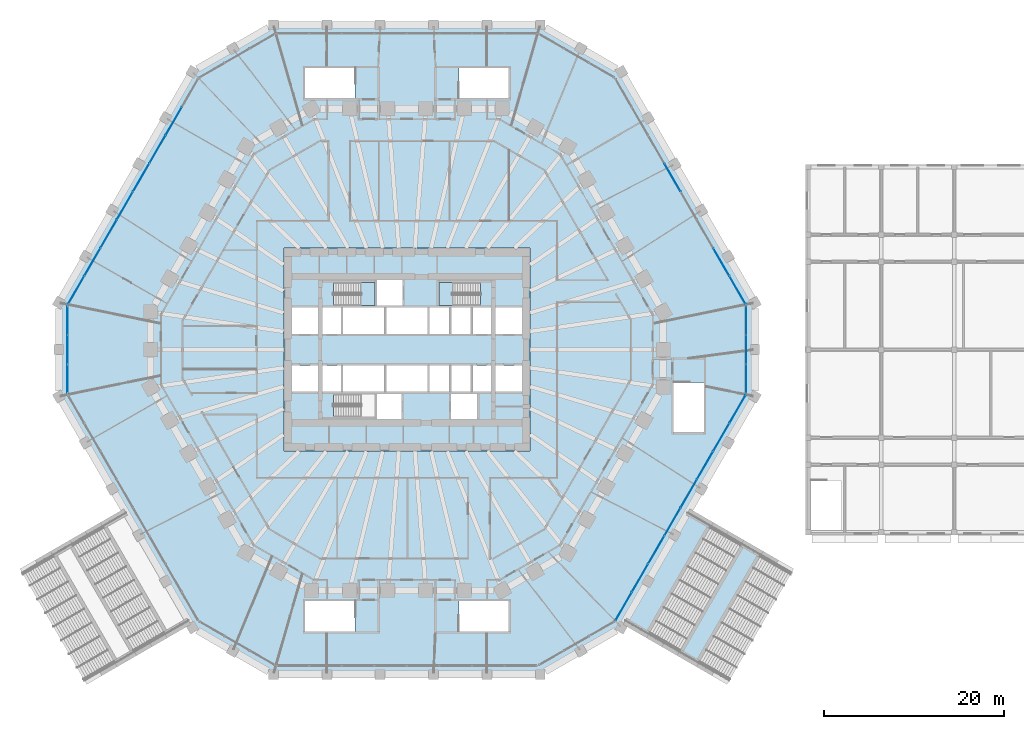
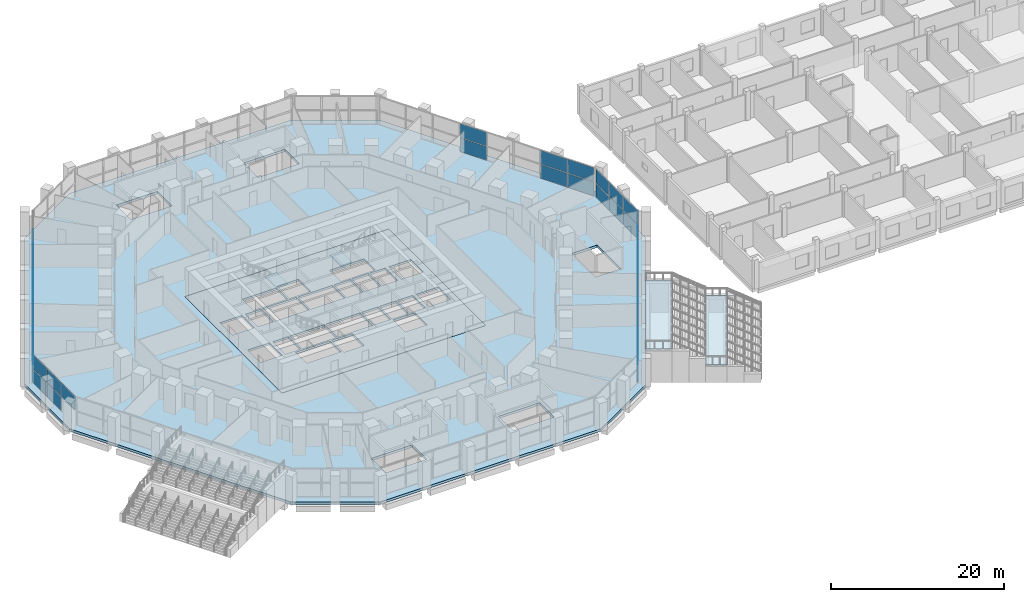
# One storey, part 17 of 38: 47 plates, 6 slabs, 8 elements without a shape of their own.
"""IFC4 building model written with IfcOpenShell, lengths in metres."""

from ifc_helpers import new_model, si_unit, direction, frame, origin, origin_2d, place, context, subcontext, project, spatial, polyline, rectangle, outline, extrude, material, layer, layer_set, type_object, element, aggregate, save


model = new_model("IFC4")

# Units and contexts
model_context = context("Model", 3, precision=1e-05, world=origin(), true_north=direction((0.0, 1.0)))
body_context = subcontext(model_context, "Body", "Model", "MODEL_VIEW")
ifc_project = project(units=[si_unit("LENGTHUNIT", "METRE"), si_unit("AREAUNIT", "SQUARE_METRE"), si_unit("VOLUMEUNIT", "CUBIC_METRE"), si_unit("PLANEANGLEUNIT", "RADIAN"), si_unit("MASSUNIT", "GRAM", prefix="KILO")], contexts=[model_context])

# Site, building, storey
site_placement = place(None, origin())
site = spatial("IfcSite", under=ifc_project, at=site_placement, CompositionType="ELEMENT")
building_placement = place(site_placement, origin())
building = spatial("IfcBuilding", under=site, at=building_placement, Name="Frailejon Research Tower", CompositionType="ELEMENT")
storey_placement = place(building_placement, frame((0.0, 0.0, 10.199951171875)))
storey = spatial("IfcBuildingStorey", under=building, at=storey_placement, Name="L02", CompositionType="ELEMENT", Elevation=10.199951171875)

# Stair, slabs
ifc_material_1 = material(Name="Concrete C35/45", Category="concrete")
stair_type_1 = type_object("IfcStairType", Name="Broad stair", PredefinedType="STRAIGHT_RUN_STAIR", material=ifc_material_1)
stair_1_placement = place(storey_placement, origin())
stair_1 = element("IfcStair", 1, at=stair_1_placement, inside=storey, type_object=stair_type_1, Name="Broad stair E3", PredefinedType="STRAIGHT_RUN_STAIR")
ifc_material_2 = material(Name="Concrete C35/45", Category="concrete")
ifc_layer_1 = layer(ifc_material_2, 0.199951171875)
ifc_layer_set_1 = layer_set([ifc_layer_1], Name="Broad stair landing")
slab_type_1 = type_object("IfcSlabType", Name="Broad stair landing", PredefinedType="LANDING", material=ifc_layer_set_1)
slab_1_placement = place(storey_placement, frame((0.0, 0.0, 4.199951171875)))
slab_1 = element("IfcSlab", 2, at=slab_1_placement, type_object=slab_type_1, Name="SS-E3 landing 1", PredefinedType="LANDING", context=body_context, shape_type="SweptSolid", body=[
    extrude(outline(polyline([(24.133544921875, -30.099365234375), (26.818359375, -31.6494140625), (33.818359375, -19.52490234375), (31.133544921875, -17.97509765625), (24.133544921875, -30.099365234375)])), origin(), (0.0, 0.0, 1.0), 0.2001953125),
])
slab_2_placement = place(storey_placement, frame((0.0, 0.0, 2.0)))
slab_2 = element("IfcSlab", 3, at=slab_2_placement, type_object=slab_type_1, Name="SS-E3 landing 2", PredefinedType="LANDING", context=body_context, shape_type="SweptSolid", body=[
    extrude(outline(polyline([(30.109130859375, -33.54931640625), (32.36083984375, -34.849365234375), (39.36083984375, -22.72509765625), (37.109130859375, -21.425048828125), (30.109130859375, -33.54931640625)])), origin(), (0.0, 0.0, 1.0), 0.199951171875),
])
aggregate(stair_1, [slab_1, slab_2])

# Slab
ifc_material_3 = material(Name="Concrete C70/85", Category="concrete")
ifc_layer_2 = layer(ifc_material_3, 0.300048828125)
ifc_layer_set_2 = layer_set([ifc_layer_2], Name="Core floor slab 300 C70/85")
slab_type_2 = type_object("IfcSlabType", Name="Core floor slab 300 C70/85", PredefinedType="FLOOR", material=ifc_layer_set_2)
slab_3_placement = place(storey_placement, frame((0.0, 0.0, -0.300048828125)))
element("IfcSlab", 4, at=slab_3_placement, inside=storey, type_object=slab_type_2, Name="Core floor slab", PredefinedType="FLOOR", context=body_context, shape_type="SweptSolid", body=[
    extrude(outline(polyline([(13.64990234375, -11.25), (13.64990234375, 11.25), (-13.64990234375, 11.25), (-13.64990234375, -11.25), (13.64990234375, -11.25)]), holes=[polyline([(-9.85009765625, 1.75), (-9.85009765625, 4.64990234375), (-12.75, 4.64990234375), (-12.75, 1.75), (-9.85009765625, 1.75)]), polyline([(-7.300048828125, 1.75), (-7.300048828125, 4.64990234375), (-9.35009765625, 4.64990234375), (-9.35009765625, 1.75), (-7.300048828125, 1.75)]), polyline([(-2.5, 1.75), (-2.5, 4.64990234375), (-7.10009765625, 4.64990234375), (-7.10009765625, 1.75), (-2.5, 1.75)]), polyline([(2.300048828125, 1.75), (2.300048828125, 4.64990234375), (-2.300048828125, 4.64990234375), (-2.300048828125, 1.75), (2.300048828125, 1.75)]), polyline([(4.699951171875, 1.75), (4.699951171875, 4.64990234375), (2.5, 4.64990234375), (2.5, 1.75), (4.699951171875, 1.75)]), polyline([(7.10009765625, 1.75), (7.10009765625, 4.64990234375), (4.89990234375, 4.64990234375), (4.89990234375, 1.75), (7.10009765625, 1.75)]), polyline([(9.35009765625, 1.75), (9.35009765625, 4.64990234375), (7.300048828125, 4.64990234375), (7.300048828125, 1.75), (9.35009765625, 1.75)]), polyline([(12.75, 1.75), (12.75, 4.64990234375), (9.85009765625, 4.64990234375), (9.85009765625, 1.75), (12.75, 1.75)]), polyline([(-9.85009765625, -4.64990234375), (-9.85009765625, -1.75), (-12.75, -1.75), (-12.75, -4.64990234375), (-9.85009765625, -4.64990234375)]), polyline([(-7.300048828125, -4.64990234375), (-7.300048828125, -1.75), (-9.35009765625, -1.75), (-9.35009765625, -4.64990234375), (-7.300048828125, -4.64990234375)]), polyline([(-2.5, -4.64990234375), (-2.5, -1.75), (-7.10009765625, -1.75), (-7.10009765625, -4.64990234375), (-2.5, -4.64990234375)]), polyline([(2.300048828125, -4.64990234375), (2.300048828125, -1.75), (-2.300048828125, -1.75), (-2.300048828125, -4.64990234375), (2.300048828125, -4.64990234375)]), polyline([(4.699951171875, -4.64990234375), (4.699951171875, -1.75), (2.5, -1.75), (2.5, -4.64990234375), (4.699951171875, -4.64990234375)]), polyline([(7.10009765625, -4.64990234375), (7.10009765625, -1.75), (4.89990234375, -1.75), (4.89990234375, -4.64990234375), (7.10009765625, -4.64990234375)]), polyline([(9.35009765625, -4.64990234375), (9.35009765625, -1.75), (7.300048828125, -1.75), (7.300048828125, -4.64990234375), (9.35009765625, -4.64990234375)]), polyline([(12.75, -4.64990234375), (12.75, -1.75), (9.85009765625, -1.75), (9.85009765625, -4.64990234375), (12.75, -4.64990234375)]), polyline([(-8.14697265625, 4.89990234375), (-3.550048828125, 4.89990234375), (-3.550048828125, 7.449951171875), (-8.14697265625, 7.449951171875), (-8.14697265625, 4.89990234375)]), polyline([(-8.14697265625, -7.449951171875), (-3.550048828125, -7.449951171875), (-3.550048828125, -4.89990234375), (-8.14697265625, -4.89990234375), (-8.14697265625, -7.449951171875)]), polyline([(8.14697265625, 7.449951171875), (3.550048828125, 7.449951171875), (3.550048828125, 4.89990234375), (8.14697265625, 4.89990234375), (8.14697265625, 7.449951171875)]), polyline([(-0.60009765625, -7.699951171875), (-0.60009765625, -4.89990234375), (-3.300048828125, -4.89990234375), (-3.300048828125, -7.699951171875), (-0.60009765625, -7.699951171875)]), polyline([(7.800048828125, -7.699951171875), (7.800048828125, -4.89990234375), (4.89990234375, -4.89990234375), (4.89990234375, -7.699951171875), (7.800048828125, -7.699951171875)]), polyline([(-0.5, 4.89990234375), (-0.5, 7.699951171875), (-3.300048828125, 7.699951171875), (-3.300048828125, 4.89990234375), (-0.5, 4.89990234375)])]), origin(), (0.0, 0.0, 1.0), 0.300048828125),
])

# Curtain wall, plates
ifc_material_4 = material(Name="Aluminium curtain wall", Category="aluminium")
curtain_wall_type = type_object("IfcCurtainWallType", Name="Podium stick curtain wall system", PredefinedType="NOTDEFINED", material=ifc_material_4)
curtain_wall_1_placement = place(storey_placement, origin())
curtain_wall_1 = element("IfcCurtainWall", 5, at=curtain_wall_1_placement, inside=storey, type_object=curtain_wall_type, Name="Curtain wall L02", PredefinedType="NOTDEFINED")
ifc_material_5 = material(Name="Clear laminated glass", Category="glass")
ifc_layer_3 = layer(ifc_material_5, 0.031982421875)
ifc_layer_set_3 = layer_set([ifc_layer_3], Name="Podium stick curtain wall glass panel 32")
plate_type = type_object("IfcPlateType", Name="Podium stick curtain wall glass panel 32", PredefinedType="CURTAIN_PANEL", material=ifc_layer_set_3)
plate_1_placement = place(storey_placement, frame((37.619140625, -3.212646484375, 0.06005859375), z_axis=(0.0, 0.0, 1.0), x_axis=(0.0, 1.0, 0.0)))
plate_1 = element("IfcPlate", 6, at=plate_1_placement, type_object=plate_type, Name="CW2-033 panel 1.1", PredefinedType="CURTAIN_PANEL", context=body_context, shape_type="SweptSolid", body=[
    extrude(rectangle(XDim=3.1376953125, YDim=0.031982421875, at=origin_2d()), origin(), (0.0, 0.0, 1.0), 1.9599609375),
])
plate_2_placement = place(storey_placement, frame((37.619140625, -3.212646484375, 2.080078125), z_axis=(0.0, 0.0, 1.0), x_axis=(0.0, 1.0, 0.0)))
plate_2 = element("IfcPlate", 7, at=plate_2_placement, type_object=plate_type, Name="CW2-033 panel 1.2", PredefinedType="CURTAIN_PANEL", context=body_context, shape_type="SweptSolid", body=[
    extrude(rectangle(XDim=3.1376953125, YDim=0.031982421875, at=origin_2d()), origin(), (0.0, 0.0, 1.0), 1.9599609375),
])
plate_3_placement = place(storey_placement, frame((37.619140625, 0.0, 0.06005859375), z_axis=(0.0, 0.0, 1.0), x_axis=(0.0, 1.0, 0.0)))
plate_3 = element("IfcPlate", 8, at=plate_3_placement, type_object=plate_type, Name="CW2-033 panel 2.1", PredefinedType="CURTAIN_PANEL", context=body_context, shape_type="SweptSolid", body=[
    extrude(rectangle(XDim=3.167724609375, YDim=0.031982421875, at=origin_2d()), origin(), (0.0, 0.0, 1.0), 1.9599609375),
])
plate_4_placement = place(storey_placement, frame((37.619140625, 0.0, 2.080078125), z_axis=(0.0, 0.0, 1.0), x_axis=(0.0, 1.0, 0.0)))
plate_4 = element("IfcPlate", 9, at=plate_4_placement, type_object=plate_type, Name="CW2-033 panel 2.2", PredefinedType="CURTAIN_PANEL", context=body_context, shape_type="SweptSolid", body=[
    extrude(rectangle(XDim=3.167724609375, YDim=0.031982421875, at=origin_2d()), origin(), (0.0, 0.0, 1.0), 1.9599609375),
])
plate_5_placement = place(storey_placement, frame((37.619140625, 3.212646484375, 0.06005859375), z_axis=(0.0, 0.0, 1.0), x_axis=(0.0, 1.0, 0.0)))
plate_5 = element("IfcPlate", 10, at=plate_5_placement, type_object=plate_type, Name="CW2-033 panel 3.1", PredefinedType="CURTAIN_PANEL", context=body_context, shape_type="SweptSolid", body=[
    extrude(rectangle(XDim=3.1376953125, YDim=0.031982421875, at=origin_2d()), origin(), (0.0, 0.0, 1.0), 1.9599609375),
])
plate_6_placement = place(storey_placement, frame((37.619140625, 3.212646484375, 2.080078125), z_axis=(0.0, 0.0, 1.0), x_axis=(0.0, 1.0, 0.0)))
plate_6 = element("IfcPlate", 11, at=plate_6_placement, type_object=plate_type, Name="CW2-033 panel 3.2", PredefinedType="CURTAIN_PANEL", context=body_context, shape_type="SweptSolid", body=[
    extrude(rectangle(XDim=3.1376953125, YDim=0.031982421875, at=origin_2d()), origin(), (0.0, 0.0, 1.0), 1.9599609375),
])
aggregate(curtain_wall_1, [plate_1, plate_2, plate_3, plate_4, plate_5, plate_6])

curtain_wall_2_placement = place(storey_placement, origin())
curtain_wall_2 = element("IfcCurtainWall", 12, at=curtain_wall_2_placement, inside=storey, type_object=curtain_wall_type, Name="Curtain wall L02", PredefinedType="NOTDEFINED")
plate_7_placement = place(storey_placement, frame((36.659912109375, 6.603271484375, 0.06005859375), z_axis=(0.0, 0.0, 1.0), x_axis=(-0.499998396888, 0.86602632934, 0.0)))
plate_7 = element("IfcPlate", 13, at=plate_7_placement, type_object=plate_type, Name="CW2-034 panel 1.1", PredefinedType="CURTAIN_PANEL", context=body_context, shape_type="SweptSolid", body=[
    extrude(rectangle(XDim=3.517578125, YDim=0.031982421875, at=origin_2d()), origin(), (0.0, 0.0, 1.0), 1.9599609375),
])
plate_8_placement = place(storey_placement, frame((36.659912109375, 6.603271484375, 2.080078125), z_axis=(0.0, 0.0, 1.0), x_axis=(-0.499998396888, 0.86602632934, 0.0)))
plate_8 = element("IfcPlate", 14, at=plate_8_placement, type_object=plate_type, Name="CW2-034 panel 1.2", PredefinedType="CURTAIN_PANEL", context=body_context, shape_type="SweptSolid", body=[
    extrude(rectangle(XDim=3.517578125, YDim=0.031982421875, at=origin_2d()), origin(), (0.0, 0.0, 1.0), 1.9599609375),
])
plate_9_placement = place(storey_placement, frame((34.863525390625, 9.714599609375, 0.06005859375), z_axis=(0.0, 0.0, 1.0), x_axis=(-0.499998396888, 0.86602632934, 0.0)))
plate_9 = element("IfcPlate", 15, at=plate_9_placement, type_object=plate_type, Name="CW2-034 panel 2.1", PredefinedType="CURTAIN_PANEL", context=body_context, shape_type="SweptSolid", body=[
    extrude(rectangle(XDim=3.547607421875, YDim=0.031982421875, at=origin_2d()), origin(), (0.0, 0.0, 1.0), 1.9599609375),
])
plate_10_placement = place(storey_placement, frame((34.863525390625, 9.714599609375, 2.080078125), z_axis=(0.0, 0.0, 1.0), x_axis=(-0.499998396888, 0.86602632934, 0.0)))
plate_10 = element("IfcPlate", 16, at=plate_10_placement, type_object=plate_type, Name="CW2-034 panel 2.2", PredefinedType="CURTAIN_PANEL", context=body_context, shape_type="SweptSolid", body=[
    extrude(rectangle(XDim=3.547607421875, YDim=0.031982421875, at=origin_2d()), origin(), (0.0, 0.0, 1.0), 1.9599609375),
])
plate_11_placement = place(storey_placement, frame((29.452392578125, 19.087158203125, 0.06005859375), z_axis=(0.0, 0.0, 1.0), x_axis=(-0.499998396888, 0.86602632934, 0.0)))
plate_11 = element("IfcPlate", 17, at=plate_11_placement, type_object=plate_type, Name="CW2-034 panel 5.1", PredefinedType="CURTAIN_PANEL", context=body_context, shape_type="SweptSolid", body=[
    extrude(rectangle(XDim=3.547607421875, YDim=0.031982421875, at=origin_2d()), origin(), (0.0, 0.0, 1.0), 1.9599609375),
])
plate_12_placement = place(storey_placement, frame((29.452392578125, 19.087158203125, 2.080078125), z_axis=(0.0, 0.0, 1.0), x_axis=(-0.499998396888, 0.86602632934, 0.0)))
plate_12 = element("IfcPlate", 18, at=plate_12_placement, type_object=plate_type, Name="CW2-034 panel 5.2", PredefinedType="CURTAIN_PANEL", context=body_context, shape_type="SweptSolid", body=[
    extrude(rectangle(XDim=3.547607421875, YDim=0.031982421875, at=origin_2d()), origin(), (0.0, 0.0, 1.0), 1.9599609375),
])
aggregate(curtain_wall_2, [plate_7, plate_8, plate_9, plate_10, plate_11, plate_12])

curtain_wall_3_placement = place(storey_placement, origin())
curtain_wall_3 = element("IfcCurtainWall", 19, at=curtain_wall_3_placement, inside=storey, type_object=curtain_wall_type, Name="Curtain wall L02", PredefinedType="NOTDEFINED")
plate_13_placement = place(storey_placement, frame((-25.8447265625, 25.33544921875, 0.06005859375), z_axis=(0.0, 0.0, 1.0), x_axis=(-0.499998396888, -0.86602632934, 0.0)))
plate_13 = element("IfcPlate", 20, at=plate_13_placement, type_object=plate_type, Name="CW2-038 panel 2.1", PredefinedType="CURTAIN_PANEL", context=body_context, shape_type="SweptSolid", body=[
    extrude(rectangle(XDim=3.547607421875, YDim=0.031982421875, at=origin_2d()), origin(), (0.0, 0.0, 1.0), 1.9599609375),
])
plate_14_placement = place(storey_placement, frame((-25.8447265625, 25.33544921875, 2.080078125), z_axis=(0.0, 0.0, 1.0), x_axis=(-0.499998396888, -0.86602632934, 0.0)))
plate_14 = element("IfcPlate", 21, at=plate_14_placement, type_object=plate_type, Name="CW2-038 panel 2.2", PredefinedType="CURTAIN_PANEL", context=body_context, shape_type="SweptSolid", body=[
    extrude(rectangle(XDim=3.547607421875, YDim=0.031982421875, at=origin_2d()), origin(), (0.0, 0.0, 1.0), 1.9599609375),
])
plate_15_placement = place(storey_placement, frame((-27.648681640625, 22.211181640625, 0.06005859375), z_axis=(0.0, 0.0, 1.0), x_axis=(-0.499998396888, -0.86602632934, 0.0)))
plate_15 = element("IfcPlate", 22, at=plate_15_placement, type_object=plate_type, Name="CW2-038 panel 3.1", PredefinedType="CURTAIN_PANEL", context=body_context, shape_type="SweptSolid", body=[
    extrude(rectangle(XDim=3.547607421875, YDim=0.031982421875, at=origin_2d()), origin(), (0.0, 0.0, 1.0), 1.9599609375),
])
plate_16_placement = place(storey_placement, frame((-27.648681640625, 22.211181640625, 2.080078125), z_axis=(0.0, 0.0, 1.0), x_axis=(-0.499998396888, -0.86602632934, 0.0)))
plate_16 = element("IfcPlate", 23, at=plate_16_placement, type_object=plate_type, Name="CW2-038 panel 3.2", PredefinedType="CURTAIN_PANEL", context=body_context, shape_type="SweptSolid", body=[
    extrude(rectangle(XDim=3.547607421875, YDim=0.031982421875, at=origin_2d()), origin(), (0.0, 0.0, 1.0), 1.9599609375),
])
plate_17_placement = place(storey_placement, frame((-29.452392578125, 19.087158203125, 0.06005859375), z_axis=(0.0, 0.0, 1.0), x_axis=(-0.499998396888, -0.86602632934, 0.0)))
plate_17 = element("IfcPlate", 24, at=plate_17_placement, type_object=plate_type, Name="CW2-038 panel 4.1", PredefinedType="CURTAIN_PANEL", context=body_context, shape_type="SweptSolid", body=[
    extrude(rectangle(XDim=3.547607421875, YDim=0.031982421875, at=origin_2d()), origin(), (0.0, 0.0, 1.0), 1.9599609375),
])
plate_18_placement = place(storey_placement, frame((-29.452392578125, 19.087158203125, 2.080078125), z_axis=(0.0, 0.0, 1.0), x_axis=(-0.499998396888, -0.86602632934, 0.0)))
plate_18 = element("IfcPlate", 25, at=plate_18_placement, type_object=plate_type, Name="CW2-038 panel 4.2", PredefinedType="CURTAIN_PANEL", context=body_context, shape_type="SweptSolid", body=[
    extrude(rectangle(XDim=3.547607421875, YDim=0.031982421875, at=origin_2d()), origin(), (0.0, 0.0, 1.0), 1.9599609375),
])
plate_19_placement = place(storey_placement, frame((-31.256103515625, 15.962890625, 0.06005859375), z_axis=(0.0, 0.0, 1.0), x_axis=(-0.499998396888, -0.86602632934, 0.0)))
plate_19 = element("IfcPlate", 26, at=plate_19_placement, type_object=plate_type, Name="CW2-038 panel 5.1", PredefinedType="CURTAIN_PANEL", context=body_context, shape_type="SweptSolid", body=[
    extrude(rectangle(XDim=3.547607421875, YDim=0.031982421875, at=origin_2d()), origin(), (0.0, 0.0, 1.0), 1.9599609375),
])
plate_20_placement = place(storey_placement, frame((-31.256103515625, 15.962890625, 2.080078125), z_axis=(0.0, 0.0, 1.0), x_axis=(-0.499998396888, -0.86602632934, 0.0)))
plate_20 = element("IfcPlate", 27, at=plate_20_placement, type_object=plate_type, Name="CW2-038 panel 5.2", PredefinedType="CURTAIN_PANEL", context=body_context, shape_type="SweptSolid", body=[
    extrude(rectangle(XDim=3.547607421875, YDim=0.031982421875, at=origin_2d()), origin(), (0.0, 0.0, 1.0), 1.9599609375),
])
plate_21_placement = place(storey_placement, frame((-33.059814453125, 12.838623046875, 0.06005859375), z_axis=(0.0, 0.0, 1.0), x_axis=(-0.499998396888, -0.86602632934, 0.0)))
plate_21 = element("IfcPlate", 28, at=plate_21_placement, type_object=plate_type, Name="CW2-038 panel 6.1", PredefinedType="CURTAIN_PANEL", context=body_context, shape_type="SweptSolid", body=[
    extrude(rectangle(XDim=3.547607421875, YDim=0.031982421875, at=origin_2d()), origin(), (0.0, 0.0, 1.0), 1.9599609375),
])
plate_22_placement = place(storey_placement, frame((-33.059814453125, 12.838623046875, 2.080078125), z_axis=(0.0, 0.0, 1.0), x_axis=(-0.499998396888, -0.86602632934, 0.0)))
plate_22 = element("IfcPlate", 29, at=plate_22_placement, type_object=plate_type, Name="CW2-038 panel 6.2", PredefinedType="CURTAIN_PANEL", context=body_context, shape_type="SweptSolid", body=[
    extrude(rectangle(XDim=3.547607421875, YDim=0.031982421875, at=origin_2d()), origin(), (0.0, 0.0, 1.0), 1.9599609375),
])
plate_23_placement = place(storey_placement, frame((-34.863525390625, 9.714599609375, 0.06005859375), z_axis=(0.0, 0.0, 1.0), x_axis=(-0.499998396888, -0.86602632934, 0.0)))
plate_23 = element("IfcPlate", 30, at=plate_23_placement, type_object=plate_type, Name="CW2-038 panel 7.1", PredefinedType="CURTAIN_PANEL", context=body_context, shape_type="SweptSolid", body=[
    extrude(rectangle(XDim=3.547607421875, YDim=0.031982421875, at=origin_2d()), origin(), (0.0, 0.0, 1.0), 1.9599609375),
])
plate_24_placement = place(storey_placement, frame((-34.863525390625, 9.714599609375, 2.080078125), z_axis=(0.0, 0.0, 1.0), x_axis=(-0.499998396888, -0.86602632934, 0.0)))
plate_24 = element("IfcPlate", 31, at=plate_24_placement, type_object=plate_type, Name="CW2-038 panel 7.2", PredefinedType="CURTAIN_PANEL", context=body_context, shape_type="SweptSolid", body=[
    extrude(rectangle(XDim=3.547607421875, YDim=0.031982421875, at=origin_2d()), origin(), (0.0, 0.0, 1.0), 1.9599609375),
])
plate_25_placement = place(storey_placement, frame((-36.659912109375, 6.603271484375, 0.06005859375), z_axis=(0.0, 0.0, 1.0), x_axis=(-0.499998396888, -0.86602632934, 0.0)))
plate_25 = element("IfcPlate", 32, at=plate_25_placement, type_object=plate_type, Name="CW2-038 panel 8.1", PredefinedType="CURTAIN_PANEL", context=body_context, shape_type="SweptSolid", body=[
    extrude(rectangle(XDim=3.517578125, YDim=0.031982421875, at=origin_2d()), origin(), (0.0, 0.0, 1.0), 1.9599609375),
])
plate_26_placement = place(storey_placement, frame((-36.659912109375, 6.603271484375, 2.080078125), z_axis=(0.0, 0.0, 1.0), x_axis=(-0.499998396888, -0.86602632934, 0.0)))
plate_26 = element("IfcPlate", 33, at=plate_26_placement, type_object=plate_type, Name="CW2-038 panel 8.2", PredefinedType="CURTAIN_PANEL", context=body_context, shape_type="SweptSolid", body=[
    extrude(rectangle(XDim=3.517578125, YDim=0.031982421875, at=origin_2d()), origin(), (0.0, 0.0, 1.0), 1.9599609375),
])
aggregate(curtain_wall_3, [plate_13, plate_14, plate_15, plate_16, plate_17, plate_18, plate_19, plate_20, plate_21, plate_22, plate_23, plate_24, plate_25, plate_26])

curtain_wall_4_placement = place(storey_placement, origin())
curtain_wall_4 = element("IfcCurtainWall", 34, at=curtain_wall_4_placement, inside=storey, type_object=curtain_wall_type, Name="Curtain wall L02", PredefinedType="NOTDEFINED")
plate_27_placement = place(storey_placement, frame((-37.619140625, 3.212646484375, 0.06005859375), z_axis=(0.0, 0.0, 1.0), x_axis=(0.0, -1.0, 0.0)))
plate_27 = element("IfcPlate", 35, at=plate_27_placement, type_object=plate_type, Name="CW2-039 panel 1.1", PredefinedType="CURTAIN_PANEL", context=body_context, shape_type="SweptSolid", body=[
    extrude(rectangle(XDim=3.1376953125, YDim=0.031982421875, at=origin_2d()), origin(), (0.0, 0.0, 1.0), 1.9599609375),
])
plate_28_placement = place(storey_placement, frame((-37.619140625, 3.212646484375, 2.080078125), z_axis=(0.0, 0.0, 1.0), x_axis=(0.0, -1.0, 0.0)))
plate_28 = element("IfcPlate", 36, at=plate_28_placement, type_object=plate_type, Name="CW2-039 panel 1.2", PredefinedType="CURTAIN_PANEL", context=body_context, shape_type="SweptSolid", body=[
    extrude(rectangle(XDim=3.1376953125, YDim=0.031982421875, at=origin_2d()), origin(), (0.0, 0.0, 1.0), 1.9599609375),
])
plate_29_placement = place(storey_placement, frame((-37.619140625, 0.0, 0.06005859375), z_axis=(0.0, 0.0, 1.0), x_axis=(0.0, -1.0, 0.0)))
plate_29 = element("IfcPlate", 37, at=plate_29_placement, type_object=plate_type, Name="CW2-039 panel 2.1", PredefinedType="CURTAIN_PANEL", context=body_context, shape_type="SweptSolid", body=[
    extrude(rectangle(XDim=3.167724609375, YDim=0.031982421875, at=origin_2d()), origin(), (0.0, 0.0, 1.0), 1.9599609375),
])
plate_30_placement = place(storey_placement, frame((-37.619140625, 0.0, 2.080078125), z_axis=(0.0, 0.0, 1.0), x_axis=(0.0, -1.0, 0.0)))
plate_30 = element("IfcPlate", 38, at=plate_30_placement, type_object=plate_type, Name="CW2-039 panel 2.2", PredefinedType="CURTAIN_PANEL", context=body_context, shape_type="SweptSolid", body=[
    extrude(rectangle(XDim=3.167724609375, YDim=0.031982421875, at=origin_2d()), origin(), (0.0, 0.0, 1.0), 1.9599609375),
])
plate_31_placement = place(storey_placement, frame((-37.619140625, -3.212646484375, 2.080078125), z_axis=(0.0, 0.0, 1.0), x_axis=(0.0, -1.0, 0.0)))
plate_31 = element("IfcPlate", 39, at=plate_31_placement, type_object=plate_type, Name="CW2-039 panel 3.2", PredefinedType="CURTAIN_PANEL", context=body_context, shape_type="SweptSolid", body=[
    extrude(rectangle(XDim=3.1376953125, YDim=0.031982421875, at=origin_2d()), origin(), (0.0, 0.0, 1.0), 1.9599609375),
])
aggregate(curtain_wall_4, [plate_27, plate_28, plate_29, plate_30, plate_31])

curtain_wall_5_placement = place(storey_placement, origin())
curtain_wall_5 = element("IfcCurtainWall", 40, at=curtain_wall_5_placement, inside=storey, type_object=curtain_wall_type, Name="Curtain wall L02", PredefinedType="NOTDEFINED")
plate_32_placement = place(storey_placement, frame((24.048583984375, -28.44677734375, 0.06005859375), z_axis=(0.0, 0.0, 1.0), x_axis=(0.499998396888, 0.86602632934, 0.0)))
plate_32 = element("IfcPlate", 41, at=plate_32_placement, type_object=plate_type, Name="CW2-044 panel 1.1", PredefinedType="CURTAIN_PANEL", context=body_context, shape_type="SweptSolid", body=[
    extrude(rectangle(XDim=3.517578125, YDim=0.031982421875, at=origin_2d()), origin(), (0.0, 0.0, 1.0), 1.9599609375),
])
plate_33_placement = place(storey_placement, frame((24.048583984375, -28.44677734375, 2.080078125), z_axis=(0.0, 0.0, 1.0), x_axis=(0.499998396888, 0.86602632934, 0.0)))
plate_33 = element("IfcPlate", 42, at=plate_33_placement, type_object=plate_type, Name="CW2-044 panel 1.2", PredefinedType="CURTAIN_PANEL", context=body_context, shape_type="SweptSolid", body=[
    extrude(rectangle(XDim=3.517578125, YDim=0.031982421875, at=origin_2d()), origin(), (0.0, 0.0, 1.0), 1.9599609375),
])
plate_34_placement = place(storey_placement, frame((25.8447265625, -25.33544921875, 0.06005859375), z_axis=(0.0, 0.0, 1.0), x_axis=(0.499998396888, 0.86602632934, 0.0)))
plate_34 = element("IfcPlate", 43, at=plate_34_placement, type_object=plate_type, Name="CW2-044 panel 2.1", PredefinedType="CURTAIN_PANEL", context=body_context, shape_type="SweptSolid", body=[
    extrude(rectangle(XDim=3.547607421875, YDim=0.031982421875, at=origin_2d()), origin(), (0.0, 0.0, 1.0), 1.9599609375),
])
plate_35_placement = place(storey_placement, frame((25.8447265625, -25.33544921875, 2.080078125), z_axis=(0.0, 0.0, 1.0), x_axis=(0.499998396888, 0.86602632934, 0.0)))
plate_35 = element("IfcPlate", 44, at=plate_35_placement, type_object=plate_type, Name="CW2-044 panel 2.2", PredefinedType="CURTAIN_PANEL", context=body_context, shape_type="SweptSolid", body=[
    extrude(rectangle(XDim=3.547607421875, YDim=0.031982421875, at=origin_2d()), origin(), (0.0, 0.0, 1.0), 1.9599609375),
])
plate_36_placement = place(storey_placement, frame((27.648681640625, -22.211181640625, 0.06005859375), z_axis=(0.0, 0.0, 1.0), x_axis=(0.499998396888, 0.86602632934, 0.0)))
plate_36 = element("IfcPlate", 45, at=plate_36_placement, type_object=plate_type, Name="CW2-044 panel 3.1", PredefinedType="CURTAIN_PANEL", context=body_context, shape_type="SweptSolid", body=[
    extrude(rectangle(XDim=3.547607421875, YDim=0.031982421875, at=origin_2d()), origin(), (0.0, 0.0, 1.0), 1.9599609375),
])
plate_37_placement = place(storey_placement, frame((27.648681640625, -22.211181640625, 2.080078125), z_axis=(0.0, 0.0, 1.0), x_axis=(0.499998396888, 0.86602632934, 0.0)))
plate_37 = element("IfcPlate", 46, at=plate_37_placement, type_object=plate_type, Name="CW2-044 panel 3.2", PredefinedType="CURTAIN_PANEL", context=body_context, shape_type="SweptSolid", body=[
    extrude(rectangle(XDim=3.547607421875, YDim=0.031982421875, at=origin_2d()), origin(), (0.0, 0.0, 1.0), 1.9599609375),
])
plate_38_placement = place(storey_placement, frame((29.452392578125, -19.087158203125, 0.06005859375), z_axis=(0.0, 0.0, 1.0), x_axis=(0.499998396888, 0.86602632934, 0.0)))
plate_38 = element("IfcPlate", 47, at=plate_38_placement, type_object=plate_type, Name="CW2-044 panel 4.1", PredefinedType="CURTAIN_PANEL", context=body_context, shape_type="SweptSolid", body=[
    extrude(rectangle(XDim=3.547607421875, YDim=0.031982421875, at=origin_2d()), origin(), (0.0, 0.0, 1.0), 1.9599609375),
])
plate_39_placement = place(storey_placement, frame((29.452392578125, -19.087158203125, 2.080078125), z_axis=(0.0, 0.0, 1.0), x_axis=(0.499998396888, 0.86602632934, 0.0)))
plate_39 = element("IfcPlate", 48, at=plate_39_placement, type_object=plate_type, Name="CW2-044 panel 4.2", PredefinedType="CURTAIN_PANEL", context=body_context, shape_type="SweptSolid", body=[
    extrude(rectangle(XDim=3.547607421875, YDim=0.031982421875, at=origin_2d()), origin(), (0.0, 0.0, 1.0), 1.9599609375),
])
plate_40_placement = place(storey_placement, frame((31.256103515625, -15.962890625, 0.06005859375), z_axis=(0.0, 0.0, 1.0), x_axis=(0.499998396888, 0.86602632934, 0.0)))
plate_40 = element("IfcPlate", 49, at=plate_40_placement, type_object=plate_type, Name="CW2-044 panel 5.1", PredefinedType="CURTAIN_PANEL", context=body_context, shape_type="SweptSolid", body=[
    extrude(rectangle(XDim=3.547607421875, YDim=0.031982421875, at=origin_2d()), origin(), (0.0, 0.0, 1.0), 1.9599609375),
])
plate_41_placement = place(storey_placement, frame((31.256103515625, -15.962890625, 2.080078125), z_axis=(0.0, 0.0, 1.0), x_axis=(0.499998396888, 0.86602632934, 0.0)))
plate_41 = element("IfcPlate", 50, at=plate_41_placement, type_object=plate_type, Name="CW2-044 panel 5.2", PredefinedType="CURTAIN_PANEL", context=body_context, shape_type="SweptSolid", body=[
    extrude(rectangle(XDim=3.547607421875, YDim=0.031982421875, at=origin_2d()), origin(), (0.0, 0.0, 1.0), 1.9599609375),
])
plate_42_placement = place(storey_placement, frame((33.059814453125, -12.838623046875, 0.06005859375), z_axis=(0.0, 0.0, 1.0), x_axis=(0.499998396888, 0.86602632934, 0.0)))
plate_42 = element("IfcPlate", 51, at=plate_42_placement, type_object=plate_type, Name="CW2-044 panel 6.1", PredefinedType="CURTAIN_PANEL", context=body_context, shape_type="SweptSolid", body=[
    extrude(rectangle(XDim=3.547607421875, YDim=0.031982421875, at=origin_2d()), origin(), (0.0, 0.0, 1.0), 1.9599609375),
])
plate_43_placement = place(storey_placement, frame((33.059814453125, -12.838623046875, 2.080078125), z_axis=(0.0, 0.0, 1.0), x_axis=(0.499998396888, 0.86602632934, 0.0)))
plate_43 = element("IfcPlate", 52, at=plate_43_placement, type_object=plate_type, Name="CW2-044 panel 6.2", PredefinedType="CURTAIN_PANEL", context=body_context, shape_type="SweptSolid", body=[
    extrude(rectangle(XDim=3.547607421875, YDim=0.031982421875, at=origin_2d()), origin(), (0.0, 0.0, 1.0), 1.9599609375),
])
plate_44_placement = place(storey_placement, frame((34.863525390625, -9.714599609375, 0.06005859375), z_axis=(0.0, 0.0, 1.0), x_axis=(0.499998396888, 0.86602632934, 0.0)))
plate_44 = element("IfcPlate", 53, at=plate_44_placement, type_object=plate_type, Name="CW2-044 panel 7.1", PredefinedType="CURTAIN_PANEL", context=body_context, shape_type="SweptSolid", body=[
    extrude(rectangle(XDim=3.547607421875, YDim=0.031982421875, at=origin_2d()), origin(), (0.0, 0.0, 1.0), 1.9599609375),
])
plate_45_placement = place(storey_placement, frame((34.863525390625, -9.714599609375, 2.080078125), z_axis=(0.0, 0.0, 1.0), x_axis=(0.499998396888, 0.86602632934, 0.0)))
plate_45 = element("IfcPlate", 54, at=plate_45_placement, type_object=plate_type, Name="CW2-044 panel 7.2", PredefinedType="CURTAIN_PANEL", context=body_context, shape_type="SweptSolid", body=[
    extrude(rectangle(XDim=3.547607421875, YDim=0.031982421875, at=origin_2d()), origin(), (0.0, 0.0, 1.0), 1.9599609375),
])
plate_46_placement = place(storey_placement, frame((36.659912109375, -6.603271484375, 0.06005859375), z_axis=(0.0, 0.0, 1.0), x_axis=(0.499998396888, 0.86602632934, 0.0)))
plate_46 = element("IfcPlate", 55, at=plate_46_placement, type_object=plate_type, Name="CW2-044 panel 8.1", PredefinedType="CURTAIN_PANEL", context=body_context, shape_type="SweptSolid", body=[
    extrude(rectangle(XDim=3.517578125, YDim=0.031982421875, at=origin_2d()), origin(), (0.0, 0.0, 1.0), 1.9599609375),
])
plate_47_placement = place(storey_placement, frame((36.659912109375, -6.603271484375, 2.080078125), z_axis=(0.0, 0.0, 1.0), x_axis=(0.499998396888, 0.86602632934, 0.0)))
plate_47 = element("IfcPlate", 56, at=plate_47_placement, type_object=plate_type, Name="CW2-044 panel 8.2", PredefinedType="CURTAIN_PANEL", context=body_context, shape_type="SweptSolid", body=[
    extrude(rectangle(XDim=3.517578125, YDim=0.031982421875, at=origin_2d()), origin(), (0.0, 0.0, 1.0), 1.9599609375),
])
aggregate(curtain_wall_5, [plate_32, plate_33, plate_34, plate_35, plate_36, plate_37, plate_38, plate_39, plate_40, plate_41, plate_42, plate_43, plate_44, plate_45, plate_46, plate_47])

# Slab
ifc_material_6 = material(Name="Concrete C40/50", Category="concrete")
ifc_layer_4 = layer(ifc_material_6, 0.35009765625)
ifc_layer_set_4 = layer_set([ifc_layer_4], Name="Slab podium 350")
slab_type_3 = type_object("IfcSlabType", Name="Slab podium 350", PredefinedType="FLOOR", material=ifc_layer_set_4)
slab_4_placement = place(storey_placement, frame((0.0, 0.0, -0.349853515625)))
element("IfcSlab", 57, at=slab_4_placement, inside=storey, type_object=slab_type_3, Name="Floor slab L02", PredefinedType="FLOOR", context=body_context, shape_type="SweptSolid", body=[
    extrude(outline(polyline([(23.78466796875, -30.8037109375), (38.569091796875, -5.1962890625), (38.569091796875, 5.1962890625), (23.78466796875, 30.8037109375), (14.78466796875, 36.0), (-14.78466796875, 36.0), (-23.78466796875, 30.8037109375), (-38.569091796875, 5.1962890625), (-38.569091796875, -5.1962890625), (-23.78466796875, -30.8037109375), (-14.78466796875, -36.0), (14.78466796875, -36.0), (23.78466796875, -30.8037109375)]), holes=[polyline([(13.64990234375, 11.25), (13.64990234375, -11.25), (-13.64990234375, -11.25), (-13.64990234375, 11.25), (13.64990234375, 11.25)]), polyline([(-11.27685546875, -31.22509765625), (-11.27685546875, -27.875), (-5.760009765625, -27.875), (-5.760009765625, -31.22509765625), (-11.27685546875, -31.22509765625)]), polyline([(11.27685546875, -27.875), (11.27685546875, -31.22509765625), (5.760009765625, -31.22509765625), (5.760009765625, -27.875), (11.27685546875, -27.875)]), polyline([(32.937744140625, -9.138916015625), (29.587890625, -9.138916015625), (29.587890625, -3.621826171875), (32.937744140625, -3.621826171875), (32.937744140625, -9.138916015625)]), polyline([(-11.27685546875, 31.22509765625), (-5.760009765625, 31.22509765625), (-5.760009765625, 27.875), (-11.27685546875, 27.875), (-11.27685546875, 31.22509765625)]), polyline([(11.27685546875, 27.875), (5.760009765625, 27.875), (5.760009765625, 31.22509765625), (11.27685546875, 31.22509765625), (11.27685546875, 27.875)])]), origin(), (0.0, 0.0, 1.0), 0.349853515625),
])

# Stair, slab
ifc_material_7 = material(Name="Concrete C50/60", Category="concrete")
stair_type_2 = type_object("IfcStairType", Name="Exit stair 24 risers", PredefinedType="HALF_TURN_STAIR", material=ifc_material_7)
stair_2_placement = place(storey_placement, origin())
stair_2 = element("IfcStair", 58, at=stair_2_placement, inside=storey, type_object=stair_type_2, Name="L02 Exit stair ST1", PredefinedType="HALF_TURN_STAIR")
ifc_material_8 = material(Name="Concrete C50/60", Category="concrete")
ifc_layer_5 = layer(ifc_material_8, 0.199951171875)
ifc_layer_set_5 = layer_set([ifc_layer_5], Name="Stair landing slab 200")
slab_type_4 = type_object("IfcSlabType", Name="Stair landing slab 200", PredefinedType="LANDING", material=ifc_layer_set_5)
slab_5_placement = place(storey_placement, frame((0.0, 0.0, 2.0)))
slab_5 = element("IfcSlab", 59, at=slab_5_placement, type_object=slab_type_4, Name="ST1 landing 1", PredefinedType="LANDING", context=body_context, shape_type="SweptSolid", body=[
    extrude(outline(polyline([(-5.070068359375, 4.89990234375), (-3.550048828125, 4.89990234375), (-3.550048828125, 7.449951171875), (-5.070068359375, 7.449951171875), (-5.070068359375, 4.89990234375)])), origin(), (0.0, 0.0, 1.0), 0.199951171875),
])
aggregate(stair_2, [slab_5])

stair_3_placement = place(storey_placement, origin())
stair_3 = element("IfcStair", 60, at=stair_3_placement, inside=storey, type_object=stair_type_2, Name="L02 Exit stair ST3", PredefinedType="HALF_TURN_STAIR")
slab_6_placement = place(storey_placement, frame((0.0, 0.0, 2.0)))
slab_6 = element("IfcSlab", 61, at=slab_6_placement, type_object=slab_type_4, Name="ST3 landing 1", PredefinedType="LANDING", context=body_context, shape_type="SweptSolid", body=[
    extrude(outline(polyline([(5.070068359375, 7.449951171875), (3.550048828125, 7.449951171875), (3.550048828125, 4.89990234375), (5.070068359375, 4.89990234375), (5.070068359375, 7.449951171875)])), origin(), (0.0, 0.0, 1.0), 0.199951171875),
])
aggregate(stair_3, [slab_6])

save(model, "model.ifc")
